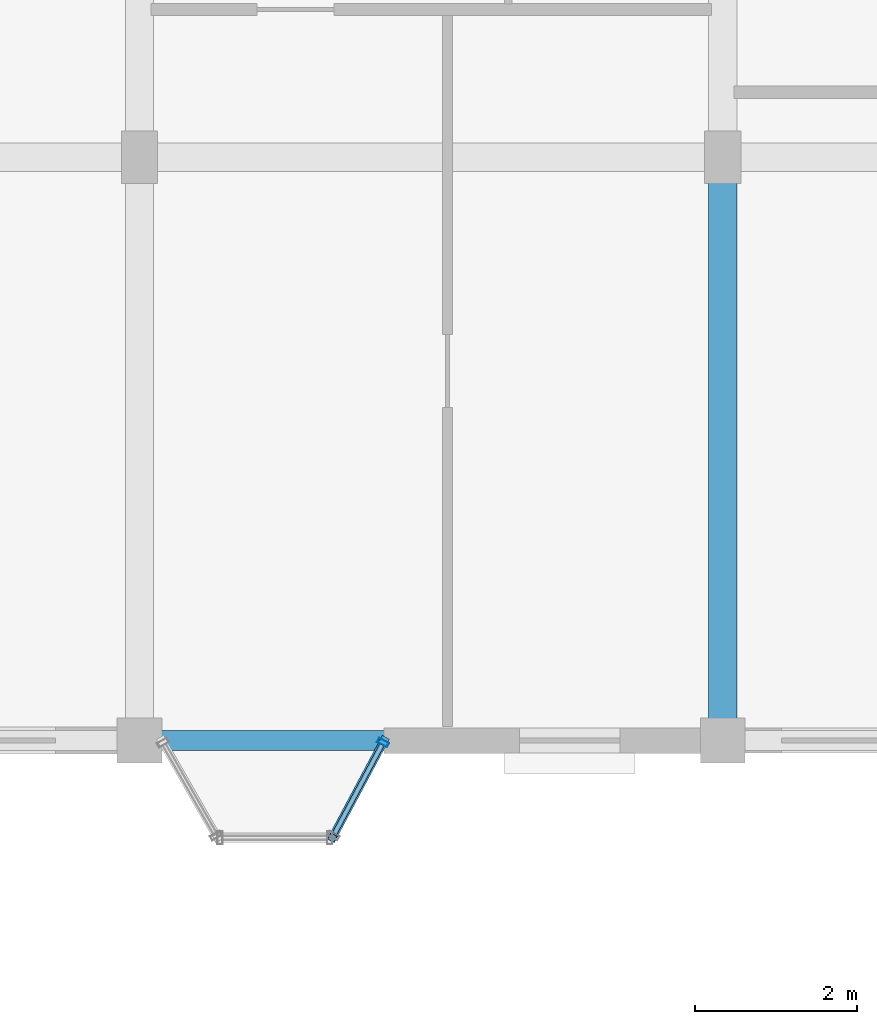
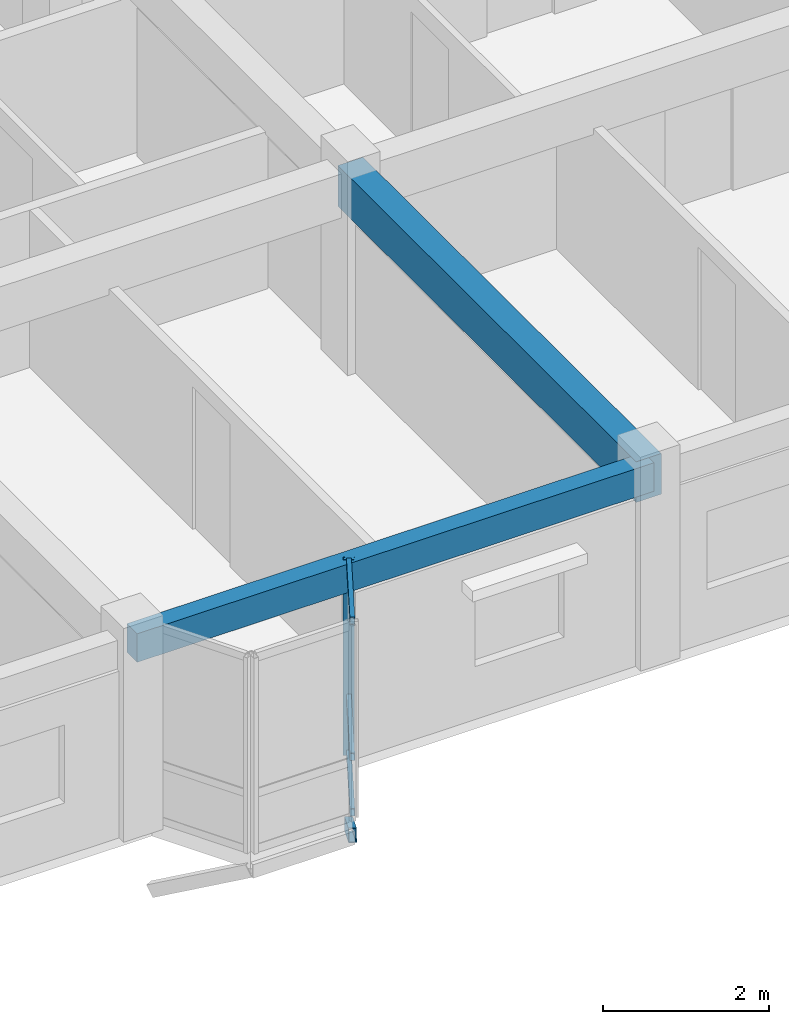
# One storey, part 39 of 77: 5 members, 2 beams, 1 element without a shape of its own.
"""IFC4 building model written with IfcOpenShell, lengths in metres."""

import ifcopenshell
import ifcopenshell.guid

model = None  # the IFC model being written
_history = None  # IfcOwnerHistory: only IFC2X3 demands one
_inside = {}  # id of a spatial element -> (the spatial element, [elements in it])
_under = {}  # id of a project, library or spatial element -> (it, [spatial elements below it])
_declared = {}  # id of a project -> (the project, [libraries it declares])
_typed = {}  # id of a type object -> (the type object, [elements of that type])
_made_of = {}  # id of a material, layer set ... -> (it, [elements and type objects made of it])


def new_model(schema):
    """Start an empty IFC model of exactly this schema.

    Asked for "IFC4X3", IfcOpenShell would pick the latest addendum, in which some entities
    have other attributes; the version numbers below select the first issue.
    IFC2X3 requires an IfcOwnerHistory on every rooted entity: one is made here for all.
    """
    global model, _history
    if schema == "IFC4X3":
        model = ifcopenshell.file(schema_version=(4, 3, 0, 0))
    else:
        model = ifcopenshell.file(schema=schema)
    _inside.clear()
    _under.clear()
    _declared.clear()
    _typed.clear()
    _made_of.clear()
    _history = None
    if model.schema == "IFC2X3":
        org = make("IfcOrganization", Name="unknown")
        user = make(
            "IfcPersonAndOrganization",
            ThePerson=make("IfcPerson", FamilyName="unknown"),
            TheOrganization=org,
        )
        app = make(
            "IfcApplication",
            ApplicationDeveloper=org,
            Version="unknown",
            ApplicationFullName="unknown",
            ApplicationIdentifier="unknown",
        )
        _history = make(
            "IfcOwnerHistory",
            OwningUser=user,
            OwningApplication=app,
            ChangeAction="ADDED",
            CreationDate=0,
        )
    return model


def make(cls, **values):
    """One entity of the class cls with the attributes given. An attribute that is None is left unset."""
    return model.create_entity(
        cls, **{name: value for name, value in values.items() if value is not None}
    )


def rooted(cls, **values):
    """An entity with a GlobalId (a new one), such as an element, a storey or a relation."""
    return make(cls, GlobalId=ifcopenshell.guid.new(), OwnerHistory=_history, **values)


def si_unit(unit_type, name, prefix=None):
    """IfcSIUnit, for example si_unit("LENGTHUNIT", "METRE", prefix="MILLI")."""
    return make("IfcSIUnit", UnitType=unit_type, Prefix=prefix, Name=name)


def assignment(units):
    """IfcUnitAssignment: the units of a project."""
    return None if units is None else make("IfcUnitAssignment", Units=units)


def point(xyz):
    """IfcCartesianPoint."""
    return None if xyz is None else make("IfcCartesianPoint", Coordinates=xyz)


def direction(xyz):
    """IfcDirection."""
    return None if xyz is None else make("IfcDirection", DirectionRatios=xyz)


def frame(location, z_axis=None, x_axis=None):
    """IfcAxis2Placement3D, a coordinate frame: its origin and axes. An axis left out is left unset."""
    return make(
        "IfcAxis2Placement3D",
        Location=point(location),
        Axis=direction(z_axis),
        RefDirection=direction(x_axis),
    )


def frame_2d(location, x_axis=None):
    """IfcAxis2Placement2D, a coordinate frame in the plane: its origin and x axis."""
    return make(
        "IfcAxis2Placement2D", Location=point(location), RefDirection=direction(x_axis)
    )


def origin():
    """The frame at (0, 0, 0) with its axes left unset."""
    return frame((0.0, 0.0, 0.0))


def origin_2d():
    """The frame at (0, 0) in the plane with its x axis left unset."""
    return frame_2d((0.0, 0.0))


def place(relative_to, where):
    """IfcLocalPlacement: puts the frame where relative to a parent placement (None: the world)."""
    return make(
        "IfcLocalPlacement", PlacementRelTo=relative_to, RelativePlacement=where
    )


def context(
    kind, dimensions, precision=None, world=None, true_north=None, identifier=None
):
    """IfcGeometricRepresentationContext, for example the 3D "Model" context."""
    return make(
        "IfcGeometricRepresentationContext",
        ContextIdentifier=identifier,
        ContextType=kind,
        CoordinateSpaceDimension=dimensions,
        Precision=precision,
        WorldCoordinateSystem=world,
        TrueNorth=true_north,
    )


def subcontext(parent, identifier, kind, view, scale=None):
    """IfcGeometricRepresentationSubContext, for example "Body" below "Model"."""
    return make(
        "IfcGeometricRepresentationSubContext",
        ContextIdentifier=identifier,
        ContextType=kind,
        ParentContext=parent,
        TargetScale=scale,
        TargetView=view,
    )


def project(units=None, contexts=None):
    """IfcProject with its units and contexts."""
    return rooted(
        "IfcProject",
        Name="project",
        RepresentationContexts=contexts,
        UnitsInContext=assignment(units),
    )


def spatial(cls, under=None, at=None, **own):
    """A site, building, storey or space (cls), placed at a placement, below another one or the project."""
    s = rooted(cls, ObjectPlacement=at, **own)
    if under is not None:
        _under.setdefault(under.id(), (under, []))[1].append(s)
    return s


def profile(cls, at=None, kind="AREA", **sizes):
    """A parametric profile (cls). Its sizes go by their IFC names, for example OverallWidth=200.0."""
    return make(cls, ProfileType=kind, Position=at, **sizes)


def rectangle(**sizes):
    """IfcRectangleProfileDef."""
    return profile("IfcRectangleProfileDef", **sizes)


def hollow_rectangle(**sizes):
    """IfcRectangleHollowProfileDef."""
    return profile("IfcRectangleHollowProfileDef", **sizes)


def extrude(swept, where, along, depth):
    """IfcExtrudedAreaSolid: the profile swept, set in the frame where, extruded along a direction by depth."""
    return make(
        "IfcExtrudedAreaSolid",
        SweptArea=swept,
        Position=where,
        ExtrudedDirection=direction(along),
        Depth=depth,
    )


def shape(context_of_items, identifier, shape_type, items):
    """IfcShapeRepresentation: the items that make up one representation, for example the "Body"."""
    return make(
        "IfcShapeRepresentation",
        ContextOfItems=context_of_items,
        RepresentationIdentifier=identifier,
        RepresentationType=shape_type,
        Items=items,
    )


def material(Name=None, Category=None):
    """IfcMaterial."""
    return make("IfcMaterial", Name=Name, Category=Category)


def layer(
    of_material, thickness, ventilated=None, Name=None, Category=None, Priority=None
):
    """IfcMaterialLayer: one layer of a wall or slab, of a material (None: an air gap)."""
    return make(
        "IfcMaterialLayer",
        Material=of_material,
        LayerThickness=thickness,
        IsVentilated=ventilated,
        Name=Name,
        Category=Category,
        Priority=Priority,
    )


def layer_set(layers, Name=None):
    """IfcMaterialLayerSet."""
    return make("IfcMaterialLayerSet", MaterialLayers=layers, LayerSetName=Name)


def material_profile(
    of_material, cross_section, Name=None, Category=None, Priority=None
):
    """IfcMaterialProfile: a cross section and its material."""
    return make(
        "IfcMaterialProfile",
        Name=Name,
        Material=of_material,
        Profile=cross_section,
        Priority=Priority,
        Category=Category,
    )


def profile_set(profiles, Name=None, composite=None):
    """IfcMaterialProfileSet."""
    return make(
        "IfcMaterialProfileSet",
        Name=Name,
        MaterialProfiles=profiles,
        CompositeProfile=composite,
    )


def made_of(thing, what):
    """Note that an element or type object is made of a material, layer set ...; save() writes the relation."""
    if what is not None:
        _made_of.setdefault(what.id(), (what, []))[1].append(thing)
    return thing


def type_object(cls, material=None, **own):
    """A type object (cls), such as IfcWallType, which elements share."""
    return made_of(rooted(cls, **own), material)


def element(
    cls,
    number,
    at=None,
    inside=None,
    cuts=None,
    type_object=None,
    material=None,
    context=None,
    identifier="Body",
    shape_type=None,
    held_by="IfcProductDefinitionShape",
    body=None,
    shapes=None,
    **own,
):
    """One element of the class cls, such as IfcWall. Its Tag is "e" and its number.

    at: its placement. inside: the storey or other place that contains it. cuts: it is an
    opening in that element (IfcRelVoidsElement). A single representation is given by context,
    identifier, shape_type and body (its items); several are given by shapes. held_by: the class
    of the entity that holds the representations. save() writes the other relations.
    """
    e = rooted(cls, Tag="e%d" % number, ObjectPlacement=at, **own)
    if body is not None:
        shapes = [shape(context, identifier, shape_type, body)]
    if shapes is not None:
        e.Representation = make(held_by, Representations=shapes)
    if inside is not None:
        _inside.setdefault(inside.id(), (inside, []))[1].append(e)
    if cuts is not None:
        rooted(
            "IfcRelVoidsElement", RelatingBuildingElement=cuts, RelatedOpeningElement=e
        )
    if type_object is not None:
        _typed.setdefault(type_object.id(), (type_object, []))[1].append(e)
    return made_of(e, material)


def aggregate(whole, parts):
    """IfcRelAggregates: a whole, such as a stair, and the parts it consists of."""
    return rooted("IfcRelAggregates", RelatingObject=whole, RelatedObjects=parts)


def save(model, path):
    """Write the relations noted so far, then the file.

    IfcRelAggregates (storeys below a building ...), IfcRelContainedInSpatialStructure (elements
    in a storey), IfcRelDefinesByType, IfcRelAssociatesMaterial and IfcRelDeclares: one each for
    every whole, place, type object, material and project.
    """
    for whole, parts in _under.values():
        aggregate(whole, parts)
    for where, things in _inside.values():
        rooted(
            "IfcRelContainedInSpatialStructure",
            RelatedElements=things,
            RelatingStructure=where,
        )
    for kind, things in _typed.values():
        rooted("IfcRelDefinesByType", RelatedObjects=things, RelatingType=kind)
    for what, things in _made_of.values():
        rooted("IfcRelAssociatesMaterial", RelatedObjects=things, RelatingMaterial=what)
    for by, libraries in _declared.values():
        rooted("IfcRelDeclares", RelatingContext=by, RelatedDefinitions=libraries)
    model.write(path)


model = new_model("IFC4")

# Units and contexts
model_context = context("Model", 3, precision=1e-05, world=origin(), true_north=direction((0.0, 1.0)))
body_context = subcontext(model_context, "Body", "Model", "MODEL_VIEW")
ifc_project = project(units=[si_unit("LENGTHUNIT", "METRE"), si_unit("AREAUNIT", "SQUARE_METRE"), si_unit("VOLUMEUNIT", "CUBIC_METRE"), si_unit("PLANEANGLEUNIT", "RADIAN"), si_unit("MASSUNIT", "GRAM", prefix="KILO"), si_unit("THERMODYNAMICTEMPERATUREUNIT", "KELVIN"), si_unit("POWERUNIT", "WATT")], contexts=[model_context])

# Site, building, storey
site_placement = place(None, origin())
site = spatial("IfcSite", under=ifc_project, at=site_placement, CompositionType="ELEMENT")
building_placement = place(site_placement, origin())
building = spatial("IfcBuilding", under=site, at=building_placement, Name="Tavuni Mirador Residences", CompositionType="ELEMENT")
storey_placement = place(building_placement, frame((0.0, 0.0, 17.10009765625)))
storey = spatial("IfcBuildingStorey", under=building, at=storey_placement, Name="L05", CompositionType="ELEMENT", Elevation=17.10009765625)

# Beams
ifc_material_1 = material(Name="Precast concrete C40/50", Category="concrete")
ifc_material_profile_1 = material_profile(ifc_material_1, rectangle(XDim=0.35009765625, YDim=0.60009765625, at=origin_2d()), Name="PC 350x600", Category="concrete")
ifc_profile_set_1 = profile_set([ifc_material_profile_1], Name="Precast concrete C40/50")
beam_type_1 = type_object("IfcBeamType", Name="BT-B600", PredefinedType="BEAM", material=ifc_profile_set_1)
beam_1_placement = place(storey_placement, frame((39.60009765625, 144.0, 2.5849609375), z_axis=(0.0, 1.0, 0.0), x_axis=(-1.0, 0.0, 0.0)))
element("IfcBeam", 1, at=beam_1_placement, inside=storey, type_object=beam_type_1, Name="BMY-BLK-C-L05-04-00", PredefinedType="BEAM", context=body_context, shape_type="SweptSolid", body=[
    extrude(rectangle(XDim=0.35009765625, YDim=0.60009765625, at=origin_2d()), origin(), (0.0, 0.0, 1.0), 7.199951171875),
])
ifc_material_profile_2 = material_profile(ifc_material_1, rectangle(XDim=0.25, YDim=0.419921875, at=origin_2d()), Name="PC 250x420", Category="concrete")
ifc_profile_set_2 = profile_set([ifc_material_profile_2], Name="Precast concrete C40/50")
beam_type_2 = type_object("IfcBeamType", Name="BT-SP420", PredefinedType="SPANDREL", material=ifc_profile_set_2)
beam_2_placement = place(storey_placement, frame((32.39990234375, 144.0, 2.6748046875), z_axis=(1.0, 0.0, 0.0), x_axis=(0.0, 1.0, 0.0)))
element("IfcBeam", 2, at=beam_2_placement, inside=storey, type_object=beam_type_2, Name="BMX-BLK-C-L05-03-00", PredefinedType="SPANDREL", context=body_context, shape_type="SweptSolid", body=[
    extrude(rectangle(XDim=0.25, YDim=0.419921875, at=origin_2d()), origin(), (0.0, 0.0, 1.0), 7.2001953125),
])

# Curtain wall, members
ifc_material_2 = material(Name="Anodised aluminium", Category="aluminium")
ifc_layer = layer(ifc_material_2, 0.175048828125, Name="Anodised aluminium", Category="aluminium")
ifc_layer_set = layer_set([ifc_layer], Name="Anodised aluminium")
curtain_wall_type = type_object("IfcCurtainWallType", Name="CWT-MIR-C", PredefinedType="NOTDEFINED", material=ifc_layer_set)
curtain_wall_placement = place(storey_placement, origin())
curtain_wall = element("IfcCurtainWall", 3, at=curtain_wall_placement, inside=storey, type_object=curtain_wall_type, Name="CW-MIR-C-S2-L05-M2", PredefinedType="NOTDEFINED")
ifc_material_profile_3 = material_profile(ifc_material_2, hollow_rectangle(XDim=0.06005859375, YDim=0.139892578125, WallThickness=0.00390625, at=origin_2d()), Name="ALU 60x140x4.0", Category="aluminium")
ifc_profile_set_3 = profile_set([ifc_material_profile_3], Name="Anodised aluminium")
member_type_1 = type_object("IfcMemberType", Name="CWM-140", PredefinedType="MULLION", material=ifc_profile_set_3)
member_1_placement = place(storey_placement, frame((35.40576171875, 143.9736328125, 0.0), z_axis=(0.0, 0.0, 1.0), x_axis=(0.470588235296, 0.882352941175, 0.0)))
member_1 = element("IfcMember", 4, at=member_1_placement, type_object=member_type_1, Name="CW-03 mullion 2", PredefinedType="MULLION", context=body_context, shape_type="SweptSolid", body=[
    extrude(hollow_rectangle(XDim=0.06005859375, YDim=0.139892578125, WallThickness=0.00390625, at=origin_2d()), origin(), (0.0, 0.0, 1.0), 2.885009765625),
])
ifc_material_profile_4 = material_profile(ifc_material_2, hollow_rectangle(XDim=0.06005859375, YDim=0.110107421875, WallThickness=0.00390625, at=origin_2d()), Name="ALU 60x110x4.0", Category="aluminium")
ifc_profile_set_4 = profile_set([ifc_material_profile_4], Name="Anodised aluminium")
member_type_2 = type_object("IfcMemberType", Name="CWT-110", PredefinedType="USERDEFINED", material=ifc_profile_set_4)
member_2_placement = place(storey_placement, frame((34.808349609375, 142.85302734375, 0.02978515625), z_axis=(0.470608675382, 0.882342039492, 0.0), x_axis=(-0.882342039492, 0.470608675382, 0.0)))
member_2 = element("IfcMember", 5, at=member_2_placement, type_object=member_type_2, Name="CW-03 transom 1.1", ObjectType="TRANSOM", PredefinedType="USERDEFINED", context=body_context, shape_type="SweptSolid", body=[
    extrude(hollow_rectangle(XDim=0.06005859375, YDim=0.110107421875, WallThickness=0.00390625, at=origin_2d()), origin(), (0.0, 0.0, 1.0), 1.239990234375),
])
member_3_placement = place(storey_placement, frame((34.808349609375, 142.85302734375, 0.849853515625), z_axis=(0.470608675382, 0.882342039492, 0.0), x_axis=(-0.882342039492, 0.470608675382, 0.0)))
member_3 = element("IfcMember", 6, at=member_3_placement, type_object=member_type_2, Name="CW-03 transom 1.2", ObjectType="TRANSOM", PredefinedType="USERDEFINED", context=body_context, shape_type="SweptSolid", body=[
    extrude(hollow_rectangle(XDim=0.06005859375, YDim=0.110107421875, WallThickness=0.00390625, at=origin_2d()), origin(), (0.0, 0.0, 1.0), 1.239990234375),
])
member_4_placement = place(storey_placement, frame((34.808349609375, 142.85302734375, 2.85498046875), z_axis=(0.470608675382, 0.882342039492, 0.0), x_axis=(-0.882342039492, 0.470608675382, 0.0)))
member_4 = element("IfcMember", 7, at=member_4_placement, type_object=member_type_2, Name="CW-03 transom 1.3", ObjectType="TRANSOM", PredefinedType="USERDEFINED", context=body_context, shape_type="SweptSolid", body=[
    extrude(hollow_rectangle(XDim=0.06005859375, YDim=0.110107421875, WallThickness=0.00390625, at=origin_2d()), origin(), (0.0, 0.0, 1.0), 1.239990234375),
])
aggregate(curtain_wall, [member_1, member_2, member_3, member_4])

# Member
ifc_material_3 = material(Name="Structural steel S355", Category="steel")
ifc_material_profile_5 = material_profile(ifc_material_3, hollow_rectangle(XDim=0.10009765625, YDim=0.179931640625, WallThickness=0.008056640625, at=origin_2d()), Name="RHS 180x100x8.0", Category="steel")
ifc_profile_set_5 = profile_set([ifc_material_profile_5], Name="Structural steel S355")
member_type_3 = type_object("IfcMemberType", Name="MT-BR-RHS180", PredefinedType="BRACE", material=ifc_profile_set_5)
member_5_placement = place(storey_placement, frame((35.419921875, 144.0, -1.050048828125), z_axis=(-0.407530885562, -0.764217589674, 0.499890040855), x_axis=(0.882377788047, -0.47054164445, 0.0)))
element("IfcMember", 8, at=member_5_placement, inside=storey, type_object=member_type_3, Name="MBRK-MIR-C-S2-L05-2", PredefinedType="BRACE", context=body_context, shape_type="SweptSolid", body=[
    extrude(hollow_rectangle(XDim=0.10009765625, YDim=0.179931640625, WallThickness=0.008056640625, at=origin_2d()), origin(), (0.0, 0.0, 1.0), 1.570068359375),
])

save(model, "model.ifc")
